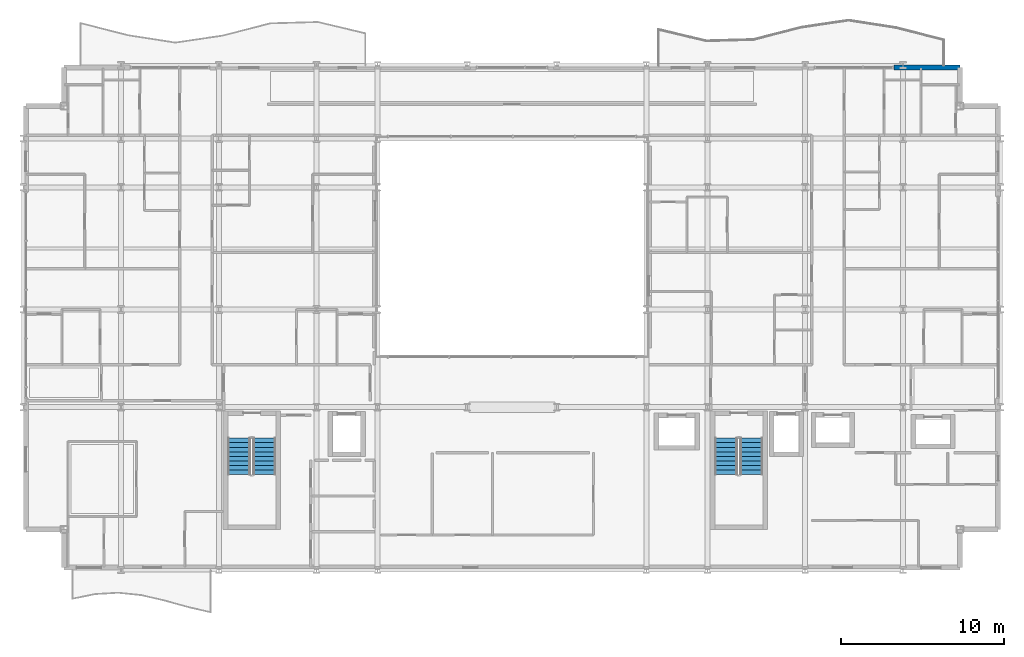
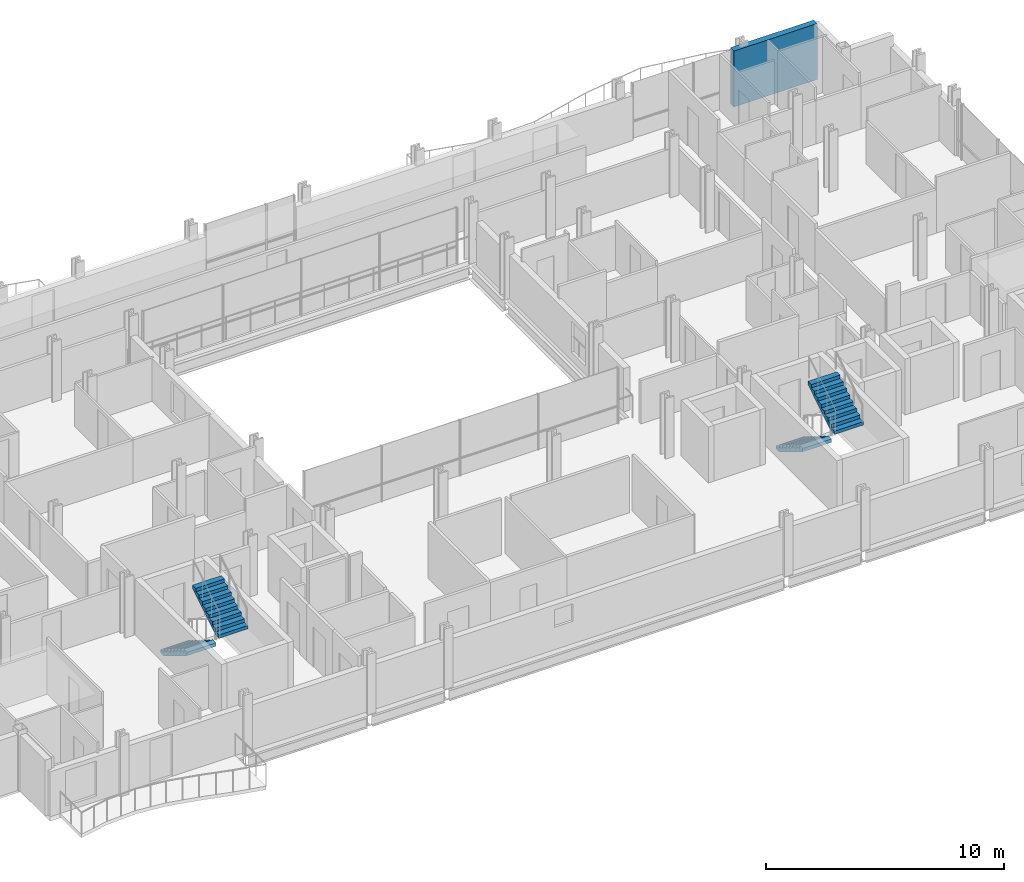
# One storey, part 37 of 41: 4 stair flights, 1 wall, 2 elements without a shape of their own.
"""IFC4 building model written with IfcOpenShell, lengths in metres."""

from ifc_helpers import new_model, si_unit, direction, frame, frame_2d, origin, place, context, subcontext, project, spatial, polyline, rectangle, outline, extrude, material, layer, layer_set, type_object, element, aggregate, save


model = new_model("IFC4")

# Units and contexts
model_context = context("Model", 3, precision=1e-05, world=origin(), true_north=direction((0.0, 1.0)))
body_context = subcontext(model_context, "Body", "Model", "MODEL_VIEW")
ifc_project = project(units=[si_unit("LENGTHUNIT", "METRE"), si_unit("AREAUNIT", "SQUARE_METRE"), si_unit("VOLUMEUNIT", "CUBIC_METRE"), si_unit("PLANEANGLEUNIT", "RADIAN"), si_unit("MASSUNIT", "GRAM", prefix="KILO")], contexts=[model_context])

# Site, building, storey
site_placement = place(None, origin())
site = spatial("IfcSite", under=ifc_project, at=site_placement, CompositionType="ELEMENT")
building_placement = place(site_placement, origin())
building = spatial("IfcBuilding", under=site, at=building_placement, Name="Brevholm Reach", CompositionType="ELEMENT")
storey_placement = place(building_placement, frame((0.0, 0.0, 55.89990234375)))
storey = spatial("IfcBuildingStorey", under=building, at=storey_placement, Name="L15", CompositionType="ELEMENT", Elevation=55.89990234375)

# Wall
ifc_material_1 = material(Name="Concrete C40/50", Category="concrete")
ifc_layer_1 = layer(ifc_material_1, 0.300048828125)
ifc_layer_set_1 = layer_set([ifc_layer_1], Name="Concrete C40/50")
wall_type = type_object("IfcWallType", Name="WAL-EXT-300", PredefinedType="STANDARD", material=ifc_layer_set_1)
wall_placement = place(storey_placement, frame((53.449951171875, 30.85009765625, 0.0), z_axis=(0.0, 0.0, 1.0), x_axis=(1.0, 0.0, 0.0)))
element("IfcWall", 1, at=wall_placement, inside=storey, type_object=wall_type, Name="L15 Facade Wall WAL-L15-NP-E0", PredefinedType="STANDARD", context=body_context, shape_type="SweptSolid", body=[
    extrude(rectangle(XDim=4.050048828125, YDim=0.300048828125, at=frame_2d((2.02490234375, 0.0))), origin(), (0.0, 0.0, 1.0), 2.8701171875),
])

# Stair, stair flights
ifc_material_2 = material(Name="Precast Concrete C40/50", Category="concrete")
stair_type = type_object("IfcStairType", Name="STR-ESC-1400", PredefinedType="DOUBLE_RETURN_STAIR", material=ifc_material_2)
stair_1_placement = place(storey_placement, origin())
stair_1 = element("IfcStair", 2, at=stair_1_placement, inside=storey, type_object=stair_type, Name="L15 ST-1", PredefinedType="DOUBLE_RETURN_STAIR")
ifc_material_3 = material(Name="Precast Concrete C40/50", Category="concrete")
ifc_layer_2 = layer(ifc_material_3, 0.18505859375)
ifc_layer_set_2 = layer_set([ifc_layer_2], Name="Precast Concrete C40/50")
stair_flight_type = type_object("IfcStairFlightType", Name="STF-PRC-185", PredefinedType="STRAIGHT", material=ifc_layer_set_2)
stair_flight_1_placement = place(storey_placement, frame((13.25, 8.10009765625, 0.0), z_axis=(0.0, 0.0, 1.0), x_axis=(0.0, -1.0, 0.0)))
stair_flight_1 = element("IfcStairFlight", 3, at=stair_flight_1_placement, type_object=stair_flight_type, Name="ST-1 flight 1", NumberOfRisers=9, NumberOfTreads=8, PredefinedType="STRAIGHT", RiserHeight=0.172222222, TreadLength=0.28, context=body_context, shape_type="SweptSolid", body=[
    extrude(outline(polyline([(0.0, 0.0), (0.0, 0.172119140625), (0.280029296875, 0.172119140625), (0.280029296875, 0.344482421875), (0.56005859375, 0.344482421875), (0.56005859375, 0.5166015625), (0.840087890625, 0.5166015625), (0.840087890625, 0.68896484375), (1.1201171875, 0.68896484375), (1.1201171875, 0.861083984375), (1.39990234375, 0.861083984375), (1.39990234375, 1.033447265625), (1.679931640625, 1.033447265625), (1.679931640625, 1.20556640625), (1.9599609375, 1.20556640625), (1.9599609375, 1.377685546875), (2.239990234375, 1.377685546875), (2.239990234375, 1.550048828125), (2.239990234375, 1.201904296875), (0.2861328125, 0.0), (0.0, 0.0)])), frame((0.0, 0.699951171875, 0.0), z_axis=(0.0, -1.0, 0.0), x_axis=(1.0, 0.0, 0.0)), (0.0, 0.0, 1.0), 1.39990234375),
])
stair_flight_2_placement = place(storey_placement, frame((14.800048828125, 5.860107421875, 1.550048828125), z_axis=(0.0, 0.0, 1.0), x_axis=(0.0, 1.0, 0.0)))
stair_flight_2 = element("IfcStairFlight", 4, at=stair_flight_2_placement, type_object=stair_flight_type, Name="ST-1 flight 2", NumberOfRisers=9, NumberOfTreads=8, PredefinedType="STRAIGHT", RiserHeight=0.172222222, TreadLength=0.28, context=body_context, shape_type="SweptSolid", body=[
    extrude(outline(polyline([(0.0, 0.0), (0.0, 0.172119140625), (0.280029296875, 0.172119140625), (0.280029296875, 0.344482421875), (0.56005859375, 0.344482421875), (0.56005859375, 0.5166015625), (0.840087890625, 0.5166015625), (0.840087890625, 0.68896484375), (1.1201171875, 0.68896484375), (1.1201171875, 0.861083984375), (1.39990234375, 0.861083984375), (1.39990234375, 1.033447265625), (1.679931640625, 1.033447265625), (1.679931640625, 1.20556640625), (1.9599609375, 1.20556640625), (1.9599609375, 1.377685546875), (2.239990234375, 1.377685546875), (2.239990234375, 1.550048828125), (2.239990234375, 1.201904296875), (0.2861328125, 0.0), (0.0, 0.0)])), frame((0.0, 0.699951171875, 0.0), z_axis=(0.0, -1.0, 0.0), x_axis=(1.0, 0.0, 0.0)), (0.0, 0.0, 1.0), 1.39990234375),
])
aggregate(stair_1, [stair_flight_1, stair_flight_2])

stair_2_placement = place(storey_placement, origin())
stair_2 = element("IfcStair", 5, at=stair_2_placement, inside=storey, type_object=stair_type, Name="L15 ST-2", PredefinedType="DOUBLE_RETURN_STAIR")
stair_flight_3_placement = place(storey_placement, frame((43.14990234375, 8.10009765625, 0.0), z_axis=(0.0, 0.0, 1.0), x_axis=(0.0, -1.0, 0.0)))
stair_flight_3 = element("IfcStairFlight", 6, at=stair_flight_3_placement, type_object=stair_flight_type, Name="ST-2 flight 1", NumberOfRisers=9, NumberOfTreads=8, PredefinedType="STRAIGHT", RiserHeight=0.172222222, TreadLength=0.28, context=body_context, shape_type="SweptSolid", body=[
    extrude(outline(polyline([(0.0, 0.0), (0.0, 0.172119140625), (0.280029296875, 0.172119140625), (0.280029296875, 0.344482421875), (0.56005859375, 0.344482421875), (0.56005859375, 0.5166015625), (0.840087890625, 0.5166015625), (0.840087890625, 0.68896484375), (1.1201171875, 0.68896484375), (1.1201171875, 0.861083984375), (1.39990234375, 0.861083984375), (1.39990234375, 1.033447265625), (1.679931640625, 1.033447265625), (1.679931640625, 1.20556640625), (1.9599609375, 1.20556640625), (1.9599609375, 1.377685546875), (2.239990234375, 1.377685546875), (2.239990234375, 1.550048828125), (2.239990234375, 1.201904296875), (0.2861328125, 0.0), (0.0, 0.0)])), frame((0.0, 0.699951171875, 0.0), z_axis=(0.0, -1.0, 0.0), x_axis=(1.0, 0.0, 0.0)), (0.0, 0.0, 1.0), 1.39990234375),
])
stair_flight_4_placement = place(storey_placement, frame((44.699951171875, 5.860107421875, 1.550048828125), z_axis=(0.0, 0.0, 1.0), x_axis=(0.0, 1.0, 0.0)))
stair_flight_4 = element("IfcStairFlight", 7, at=stair_flight_4_placement, type_object=stair_flight_type, Name="ST-2 flight 2", NumberOfRisers=9, NumberOfTreads=8, PredefinedType="STRAIGHT", RiserHeight=0.172222222, TreadLength=0.28, context=body_context, shape_type="SweptSolid", body=[
    extrude(outline(polyline([(0.0, 0.0), (0.0, 0.172119140625), (0.280029296875, 0.172119140625), (0.280029296875, 0.344482421875), (0.56005859375, 0.344482421875), (0.56005859375, 0.5166015625), (0.840087890625, 0.5166015625), (0.840087890625, 0.68896484375), (1.1201171875, 0.68896484375), (1.1201171875, 0.861083984375), (1.39990234375, 0.861083984375), (1.39990234375, 1.033447265625), (1.679931640625, 1.033447265625), (1.679931640625, 1.20556640625), (1.9599609375, 1.20556640625), (1.9599609375, 1.377685546875), (2.239990234375, 1.377685546875), (2.239990234375, 1.550048828125), (2.239990234375, 1.201904296875), (0.2861328125, 0.0), (0.0, 0.0)])), frame((0.0, 0.699951171875, 0.0), z_axis=(0.0, -1.0, 0.0), x_axis=(1.0, 0.0, 0.0)), (0.0, 0.0, 1.0), 1.39990234375),
])
aggregate(stair_2, [stair_flight_3, stair_flight_4])

save(model, "model.ifc")
